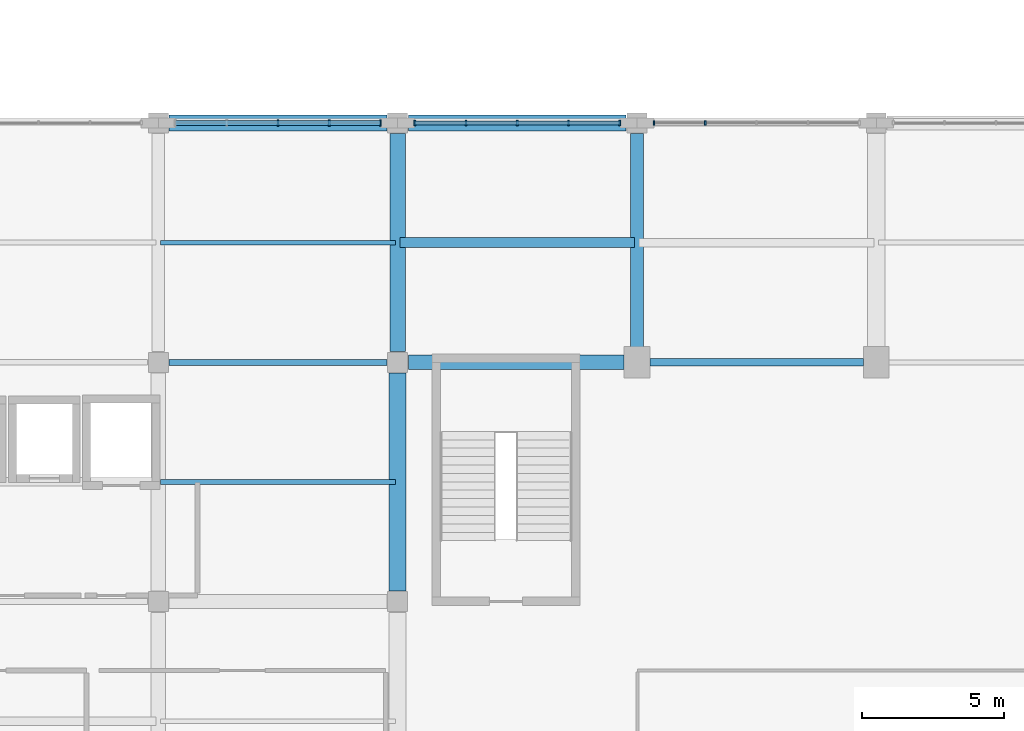
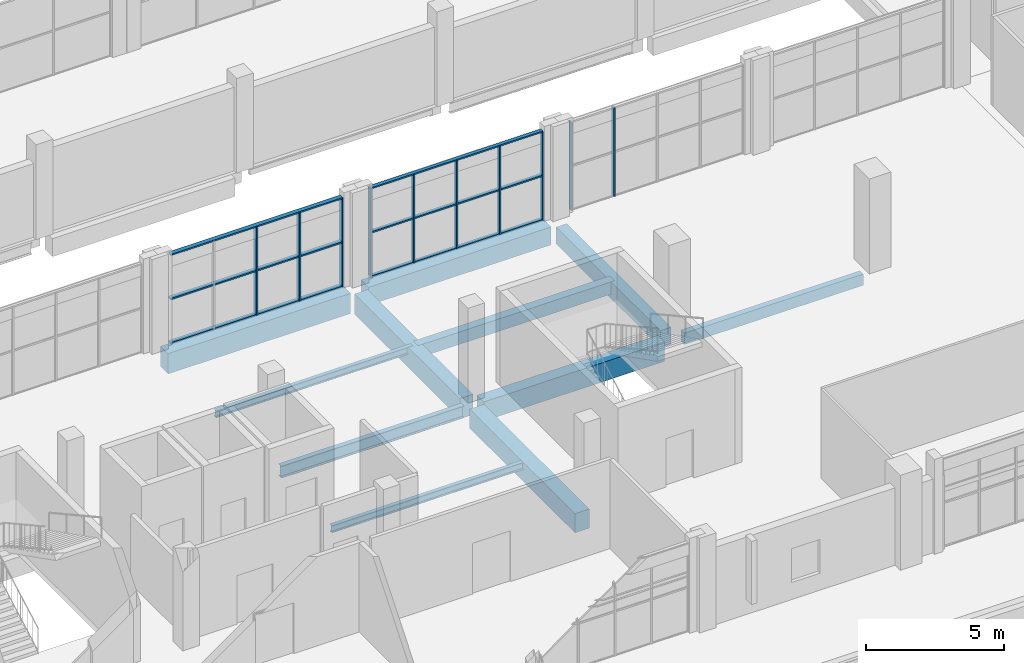
# One storey, part 21 of 59: 16 members, 11 beams, 3 elements without a shape of their own.
"""IFC4 building model written with IfcOpenShell, lengths in metres."""

from ifc_helpers import new_model, si_unit, derived_unit, direction, frame, origin, origin_2d, place, context, subcontext, project, spatial, rectangle, i_section, extrude, material, material_profile, profile_set, type_object, element, aggregate, save


model = new_model("IFC4")

# Units and contexts
model_context = context("Model", 3, precision=1e-05, world=origin(), true_north=direction((0.0, 1.0)))
body_context = subcontext(model_context, "Body", "Model", "MODEL_VIEW")
ifc_project = project(units=[si_unit("LENGTHUNIT", "METRE"), si_unit("AREAUNIT", "SQUARE_METRE"), si_unit("VOLUMEUNIT", "CUBIC_METRE"), si_unit("PLANEANGLEUNIT", "RADIAN"), si_unit("MASSUNIT", "GRAM", prefix="KILO"), derived_unit("THERMALTRANSMITTANCEUNIT", [(si_unit("POWERUNIT", "WATT"), 1), (si_unit("LENGTHUNIT", "METRE"), -2), (si_unit("THERMODYNAMICTEMPERATUREUNIT", "KELVIN"), -1)])], contexts=[model_context])

# Site, building, storey
site_placement = place(None, origin())
site = spatial("IfcSite", under=ifc_project, at=site_placement, CompositionType="ELEMENT")
building_placement = place(site_placement, origin())
building = spatial("IfcBuilding", under=site, at=building_placement, Name="Barrovel Congress Hotel", CompositionType="ELEMENT")
storey_placement = place(building_placement, frame((0.0, 0.0, 9.89990234375)))
storey = spatial("IfcBuildingStorey", under=building, at=storey_placement, Name="L02", CompositionType="ELEMENT", Elevation=9.89990234375)

# Beams
ifc_material_1 = material(Name="Concrete C40", Category="concrete")
ifc_material_profile_1 = material_profile(ifc_material_1, rectangle(XDim=0.25, YDim=0.5, at=origin_2d()), Name="RC250x500")
ifc_profile_set_1 = profile_set([ifc_material_profile_1], Name="Concrete C40")
beam_type_1 = type_object("IfcBeamType", Name="BM-RC250x500", PredefinedType="SPANDREL", material=ifc_profile_set_1)
beam_1_placement = place(storey_placement, frame((109.64990234375, 21.0, -0.510009765625), z_axis=(1.0, 0.0, 0.0), x_axis=(0.0, 1.0, 0.0)))
element("IfcBeam", 1, at=beam_1_placement, inside=storey, type_object=beam_type_1, Name="BMX:L02:21.0:109.2-117.6", PredefinedType="SPANDREL", context=body_context, shape_type="SweptSolid", body=[
    extrude(rectangle(XDim=0.25, YDim=0.5, at=origin_2d()), origin(), (0.0, 0.0, 1.0), 7.5),
])
ifc_material_profile_2 = material_profile(ifc_material_1, rectangle(XDim=0.35009765625, YDim=0.550048828125, at=origin_2d()), Name="RC350x550")
ifc_profile_set_2 = profile_set([ifc_material_profile_2], Name="Concrete C40")
beam_type_2 = type_object("IfcBeamType", Name="BM-RC350x550", PredefinedType="JOIST", material=ifc_profile_set_2)
beam_2_placement = place(storey_placement, frame((100.8798828125, 25.199951171875, -0.534912109375), z_axis=(1.0, 0.0, 0.0), x_axis=(0.0, 1.0, 0.0)))
element("IfcBeam", 2, at=beam_2_placement, inside=storey, type_object=beam_type_2, Name="JST:L02:100.8:25.2", PredefinedType="JOIST", context=body_context, shape_type="SweptSolid", body=[
    extrude(rectangle(XDim=0.35009765625, YDim=0.550048828125, at=origin_2d()), origin(), (0.0, 0.0, 1.0), 8.240234375),
])
ifc_material_profile_3 = material_profile(ifc_material_1, rectangle(XDim=0.449951171875, YDim=0.75, at=origin_2d()), Name="RC450x750")
ifc_profile_set_3 = profile_set([ifc_material_profile_3], Name="Concrete C40")
beam_type_3 = type_object("IfcBeamType", Name="BM-RC450x750", PredefinedType="BEAM", material=ifc_profile_set_3)
beam_3_placement = place(storey_placement, frame((109.199951171875, 21.449951171875, -0.635009765625), z_axis=(0.0, 1.0, 0.0), x_axis=(-1.0, 0.0, 0.0)))
element("IfcBeam", 3, at=beam_3_placement, inside=storey, type_object=beam_type_3, Name="BMY:L02:109.2:21.0-29.4", PredefinedType="BEAM", context=body_context, shape_type="SweptSolid", body=[
    extrude(rectangle(XDim=0.449951171875, YDim=0.75, at=origin_2d()), origin(), (0.0, 0.0, 1.0), 7.574951171875),
])
ifc_material_profile_4 = material_profile(ifc_material_1, rectangle(XDim=0.5, YDim=0.85009765625, at=origin_2d()), Name="RC500x850")
ifc_profile_set_4 = profile_set([ifc_material_profile_4], Name="Concrete C40")
beam_type_4 = type_object("IfcBeamType", Name="BM-RC500x850", PredefinedType="BEAM", material=ifc_profile_set_4)
beam_4_placement = place(storey_placement, frame((101.175048828125, 21.0, -0.684814453125), z_axis=(1.0, 0.0, 0.0), x_axis=(0.0, 1.0, 0.0)))
element("IfcBeam", 4, at=beam_4_placement, inside=storey, type_object=beam_type_4, Name="BMX:L02:21.0:100.8-109.2", PredefinedType="BEAM", context=body_context, shape_type="SweptSolid", body=[
    extrude(rectangle(XDim=0.5, YDim=0.85009765625, at=origin_2d()), origin(), (0.0, 0.0, 1.0), 7.574951171875),
])
ifc_material_profile_5 = material_profile(ifc_material_1, rectangle(XDim=0.550048828125, YDim=0.800048828125, at=origin_2d()), Name="RC550x800")
ifc_profile_set_5 = profile_set([ifc_material_profile_5], Name="Concrete C40")
beam_type_5 = type_object("IfcBeamType", Name="BM-RC550x800", PredefinedType="BEAM", material=ifc_profile_set_5)
beam_5_placement = place(storey_placement, frame((101.175048828125, 29.39990234375, -0.659912109375), z_axis=(1.0, 0.0, 0.0), x_axis=(0.0, 1.0, 0.0)))
element("IfcBeam", 5, at=beam_5_placement, inside=storey, type_object=beam_type_5, Name="BMX:L02:29.4:100.8-109.2", PredefinedType="BEAM", context=body_context, shape_type="SweptSolid", body=[
    extrude(rectangle(XDim=0.550048828125, YDim=0.800048828125, at=origin_2d()), origin(), (0.0, 0.0, 1.0), 7.64990234375),
])
ifc_material_profile_6 = material_profile(ifc_material_1, rectangle(XDim=0.550048828125, YDim=0.89990234375, at=origin_2d()), Name="RC550x900")
ifc_profile_set_6 = profile_set([ifc_material_profile_6], Name="Concrete C40")
beam_type_6 = type_object("IfcBeamType", Name="BM-RC550x900", PredefinedType="BEAM", material=ifc_profile_set_6)
beam_6_placement = place(storey_placement, frame((92.77490234375, 29.39990234375, -0.7099609375), z_axis=(1.0, 0.0, 0.0), x_axis=(0.0, 1.0, 0.0)))
element("IfcBeam", 6, at=beam_6_placement, inside=storey, type_object=beam_type_6, Name="BMX:L02:29.4:92.4-100.8", PredefinedType="BEAM", context=body_context, shape_type="SweptSolid", body=[
    extrude(rectangle(XDim=0.550048828125, YDim=0.89990234375, at=origin_2d()), origin(), (0.0, 0.0, 1.0), 7.650146484375),
])
beam_7_placement = place(storey_placement, frame((100.800048828125, 21.375, -0.7099609375), z_axis=(0.0, 1.0, 0.0), x_axis=(-1.0, 0.0, 0.0)))
element("IfcBeam", 7, at=beam_7_placement, inside=storey, type_object=beam_type_6, Name="BMY:L02:100.8:21.0-29.4", PredefinedType="BEAM", context=body_context, shape_type="SweptSolid", body=[
    extrude(rectangle(XDim=0.550048828125, YDim=0.89990234375, at=origin_2d()), origin(), (0.0, 0.0, 1.0), 7.64990234375),
])
ifc_material_profile_7 = material_profile(ifc_material_1, rectangle(XDim=0.60009765625, YDim=0.85009765625, at=origin_2d()), Name="RC600x850")
ifc_profile_set_7 = profile_set([ifc_material_profile_7], Name="Concrete C40")
beam_type_7 = type_object("IfcBeamType", Name="BM-RC600x850", PredefinedType="BEAM", material=ifc_profile_set_7)
beam_8_placement = place(storey_placement, frame((100.800048828125, 12.97509765625, -0.684814453125), z_axis=(0.0, 1.0, 0.0), x_axis=(-1.0, 0.0, 0.0)))
element("IfcBeam", 8, at=beam_8_placement, inside=storey, type_object=beam_type_7, Name="BMY:L02:100.8:12.6-21.0", PredefinedType="BEAM", context=body_context, shape_type="SweptSolid", body=[
    extrude(rectangle(XDim=0.60009765625, YDim=0.85009765625, at=origin_2d()), origin(), (0.0, 0.0, 1.0), 7.64990234375),
])

# Curtain wall, members
ifc_material_2 = material(Name="Anodised Aluminium Alloy 6063-T6", Category="aluminium")
curtain_wall_type = type_object("IfcCurtainWallType", Name="CW-ST-7200x3600", PredefinedType="USERDEFINED", material=ifc_material_2)
curtain_wall_1_placement = place(storey_placement, origin())
curtain_wall_1 = element("IfcCurtainWall", 9, at=curtain_wall_1_placement, inside=storey, type_object=curtain_wall_type, Name="CW:L02:CS:13", ObjectType="STICK CURTAIN WALL", PredefinedType="USERDEFINED")
ifc_material_profile_8 = material_profile(ifc_material_2, rectangle(XDim=0.06005859375, YDim=0.1650390625, at=origin_2d()), Name="AL-M60x165")
ifc_profile_set_8 = profile_set([ifc_material_profile_8], Name="Anodised Aluminium Alloy 6063-T6")
member_type_1 = type_object("IfcMemberType", Name="CWM-AL-M60x165", PredefinedType="MULLION", material=ifc_profile_set_8)
member_1_placement = place(storey_placement, frame((111.60009765625, 29.39990234375, 0.0), z_axis=(0.0, 0.0, 1.0), x_axis=(1.0, 0.0, 0.0)))
member_1 = element("IfcMember", 10, at=member_1_placement, type_object=member_type_1, Name="CW:L02:CS:13:M3", PredefinedType="MULLION", context=body_context, shape_type="SweptSolid", body=[
    extrude(rectangle(XDim=0.06005859375, YDim=0.1650390625, at=origin_2d()), origin(), (0.0, 0.0, 1.0), 3.920166015625),
])
member_2_placement = place(storey_placement, frame((109.800048828125, 29.39990234375, 0.0), z_axis=(0.0, 0.0, 1.0), x_axis=(1.0, 0.0, 0.0)))
member_2 = element("IfcMember", 11, at=member_2_placement, type_object=member_type_1, Name="CW:L02:CS:13:M4", PredefinedType="MULLION", context=body_context, shape_type="SweptSolid", body=[
    extrude(rectangle(XDim=0.06005859375, YDim=0.1650390625, at=origin_2d()), origin(), (0.0, 0.0, 1.0), 3.920166015625),
])
aggregate(curtain_wall_1, [member_1, member_2])

curtain_wall_2_placement = place(storey_placement, origin())
curtain_wall_2 = element("IfcCurtainWall", 12, at=curtain_wall_2_placement, inside=storey, type_object=curtain_wall_type, Name="CW:L02:CS:12", ObjectType="STICK CURTAIN WALL", PredefinedType="USERDEFINED")
ifc_material_profile_9 = material_profile(ifc_material_2, rectangle(XDim=0.06494140625, YDim=0.18994140625, at=origin_2d()), Name="AL-M65x190")
ifc_profile_set_9 = profile_set([ifc_material_profile_9], Name="Anodised Aluminium Alloy 6063-T6")
member_type_2 = type_object("IfcMemberType", Name="CWM-AL-M65x190", PredefinedType="MULLION", material=ifc_profile_set_9)
member_3_placement = place(storey_placement, frame((108.60009765625, 29.39990234375, 0.0), z_axis=(0.0, 0.0, 1.0), x_axis=(1.0, 0.0, 0.0)))
member_3 = element("IfcMember", 13, at=member_3_placement, type_object=member_type_2, Name="CW:L02:CS:12:M0", PredefinedType="MULLION", context=body_context, shape_type="SweptSolid", body=[
    extrude(rectangle(XDim=0.06494140625, YDim=0.18994140625, at=origin_2d()), origin(), (0.0, 0.0, 1.0), 3.920166015625),
])
member_4_placement = place(storey_placement, frame((106.800048828125, 29.39990234375, 0.0), z_axis=(0.0, 0.0, 1.0), x_axis=(1.0, 0.0, 0.0)))
member_4 = element("IfcMember", 14, at=member_4_placement, type_object=member_type_2, Name="CW:L02:CS:12:M1", PredefinedType="MULLION", context=body_context, shape_type="SweptSolid", body=[
    extrude(rectangle(XDim=0.06494140625, YDim=0.18994140625, at=origin_2d()), origin(), (0.0, 0.0, 1.0), 3.920166015625),
])
member_5_placement = place(storey_placement, frame((105.0, 29.39990234375, 0.0), z_axis=(0.0, 0.0, 1.0), x_axis=(1.0, 0.0, 0.0)))
member_5 = element("IfcMember", 15, at=member_5_placement, type_object=member_type_2, Name="CW:L02:CS:12:M2", PredefinedType="MULLION", context=body_context, shape_type="SweptSolid", body=[
    extrude(rectangle(XDim=0.06494140625, YDim=0.18994140625, at=origin_2d()), origin(), (0.0, 0.0, 1.0), 3.920166015625),
])
member_6_placement = place(storey_placement, frame((103.199951171875, 29.39990234375, 0.0), z_axis=(0.0, 0.0, 1.0), x_axis=(1.0, 0.0, 0.0)))
member_6 = element("IfcMember", 16, at=member_6_placement, type_object=member_type_2, Name="CW:L02:CS:12:M3", PredefinedType="MULLION", context=body_context, shape_type="SweptSolid", body=[
    extrude(rectangle(XDim=0.06494140625, YDim=0.18994140625, at=origin_2d()), origin(), (0.0, 0.0, 1.0), 3.920166015625),
])
member_7_placement = place(storey_placement, frame((101.39990234375, 29.39990234375, 0.0), z_axis=(0.0, 0.0, 1.0), x_axis=(1.0, 0.0, 0.0)))
member_7 = element("IfcMember", 17, at=member_7_placement, type_object=member_type_2, Name="CW:L02:CS:12:M4", PredefinedType="MULLION", context=body_context, shape_type="SweptSolid", body=[
    extrude(rectangle(XDim=0.06494140625, YDim=0.18994140625, at=origin_2d()), origin(), (0.0, 0.0, 1.0), 3.920166015625),
])

curtain_wall_3_placement = place(storey_placement, origin())
curtain_wall_3 = element("IfcCurtainWall", 18, at=curtain_wall_3_placement, inside=storey, type_object=curtain_wall_type, Name="CW:L02:CS:11", ObjectType="STICK CURTAIN WALL", PredefinedType="USERDEFINED")
ifc_material_profile_10 = material_profile(ifc_material_2, rectangle(XDim=0.06494140625, YDim=0.219970703125, at=origin_2d()), Name="AL-M65x220")
ifc_profile_set_10 = profile_set([ifc_material_profile_10], Name="Anodised Aluminium Alloy 6063-T6")
member_type_3 = type_object("IfcMemberType", Name="CWM-AL-M65x220", PredefinedType="MULLION", material=ifc_profile_set_10)
member_8_placement = place(storey_placement, frame((100.199951171875, 29.39990234375, 0.0), z_axis=(0.0, 0.0, 1.0), x_axis=(1.0, 0.0, 0.0)))
member_8 = element("IfcMember", 19, at=member_8_placement, type_object=member_type_3, Name="CW:L02:CS:11:M0", PredefinedType="MULLION", context=body_context, shape_type="SweptSolid", body=[
    extrude(rectangle(XDim=0.06494140625, YDim=0.219970703125, at=origin_2d()), origin(), (0.0, 0.0, 1.0), 3.920166015625),
])
member_9_placement = place(storey_placement, frame((98.39990234375, 29.39990234375, 0.0), z_axis=(0.0, 0.0, 1.0), x_axis=(1.0, 0.0, 0.0)))
member_9 = element("IfcMember", 20, at=member_9_placement, type_object=member_type_3, Name="CW:L02:CS:11:M1", PredefinedType="MULLION", context=body_context, shape_type="SweptSolid", body=[
    extrude(rectangle(XDim=0.06494140625, YDim=0.219970703125, at=origin_2d()), origin(), (0.0, 0.0, 1.0), 3.920166015625),
])
member_10_placement = place(storey_placement, frame((96.60009765625, 29.39990234375, 0.0), z_axis=(0.0, 0.0, 1.0), x_axis=(1.0, 0.0, 0.0)))
member_10 = element("IfcMember", 21, at=member_10_placement, type_object=member_type_3, Name="CW:L02:CS:11:M2", PredefinedType="MULLION", context=body_context, shape_type="SweptSolid", body=[
    extrude(rectangle(XDim=0.06494140625, YDim=0.219970703125, at=origin_2d()), origin(), (0.0, 0.0, 1.0), 3.920166015625),
])

# Member
ifc_material_profile_11 = material_profile(ifc_material_2, rectangle(XDim=0.14990234375, YDim=0.06494140625, at=origin_2d()), Name="AL-T65x150")
ifc_profile_set_11 = profile_set([ifc_material_profile_11], Name="Anodised Aluminium Alloy 6063-T6")
member_type_4 = type_object("IfcMemberType", Name="CWT-AL-T65x150", PredefinedType="USERDEFINED", material=ifc_profile_set_11)
member_11_placement = place(storey_placement, frame((108.60009765625, 29.39990234375, 0.0), z_axis=(-1.0, 0.0, 0.0), x_axis=(0.0, -1.0, 0.0)))
member_11 = element("IfcMember", 22, at=member_11_placement, type_object=member_type_4, Name="CW:L02:CS:12:T0", ObjectType="TRANSOM", PredefinedType="USERDEFINED", context=body_context, shape_type="SweptSolid", body=[
    extrude(rectangle(XDim=0.14990234375, YDim=0.06494140625, at=origin_2d()), origin(), (0.0, 0.0, 1.0), 7.2001953125),
])

member_12_placement = place(storey_placement, frame((108.60009765625, 29.39990234375, 1.960205078125), z_axis=(-1.0, 0.0, 0.0), x_axis=(0.0, -1.0, 0.0)))
member_12 = element("IfcMember", 23, at=member_12_placement, type_object=member_type_4, Name="CW:L02:CS:12:T1", ObjectType="TRANSOM", PredefinedType="USERDEFINED", context=body_context, shape_type="SweptSolid", body=[
    extrude(rectangle(XDim=0.14990234375, YDim=0.06494140625, at=origin_2d()), origin(), (0.0, 0.0, 1.0), 7.2001953125),
])

member_13_placement = place(storey_placement, frame((108.60009765625, 29.39990234375, 3.920166015625), z_axis=(-1.0, 0.0, 0.0), x_axis=(0.0, -1.0, 0.0)))
member_13 = element("IfcMember", 24, at=member_13_placement, type_object=member_type_4, Name="CW:L02:CS:12:T2", ObjectType="TRANSOM", PredefinedType="USERDEFINED", context=body_context, shape_type="SweptSolid", body=[
    extrude(rectangle(XDim=0.14990234375, YDim=0.06494140625, at=origin_2d()), origin(), (0.0, 0.0, 1.0), 7.2001953125),
])

aggregate(curtain_wall_2, [member_3, member_4, member_5, member_6, member_7, member_11, member_12, member_13])

ifc_material_profile_12 = material_profile(ifc_material_2, rectangle(XDim=0.179931640625, YDim=0.06494140625, at=origin_2d()), Name="AL-T65x180")
ifc_profile_set_12 = profile_set([ifc_material_profile_12], Name="Anodised Aluminium Alloy 6063-T6")
member_type_5 = type_object("IfcMemberType", Name="CWT-AL-T65x180", PredefinedType="USERDEFINED", material=ifc_profile_set_12)
member_14_placement = place(storey_placement, frame((100.199951171875, 29.39990234375, 0.0), z_axis=(-1.0, 0.0, 0.0), x_axis=(0.0, -1.0, 0.0)))
member_14 = element("IfcMember", 25, at=member_14_placement, type_object=member_type_5, Name="CW:L02:CS:11:T0", ObjectType="TRANSOM", PredefinedType="USERDEFINED", context=body_context, shape_type="SweptSolid", body=[
    extrude(rectangle(XDim=0.179931640625, YDim=0.06494140625, at=origin_2d()), origin(), (0.0, 0.0, 1.0), 7.199951171875),
])

member_15_placement = place(storey_placement, frame((100.199951171875, 29.39990234375, 1.960205078125), z_axis=(-1.0, 0.0, 0.0), x_axis=(0.0, -1.0, 0.0)))
member_15 = element("IfcMember", 26, at=member_15_placement, type_object=member_type_5, Name="CW:L02:CS:11:T1", ObjectType="TRANSOM", PredefinedType="USERDEFINED", context=body_context, shape_type="SweptSolid", body=[
    extrude(rectangle(XDim=0.179931640625, YDim=0.06494140625, at=origin_2d()), origin(), (0.0, 0.0, 1.0), 7.199951171875),
])

member_16_placement = place(storey_placement, frame((100.199951171875, 29.39990234375, 3.920166015625), z_axis=(-1.0, 0.0, 0.0), x_axis=(0.0, -1.0, 0.0)))
member_16 = element("IfcMember", 27, at=member_16_placement, type_object=member_type_5, Name="CW:L02:CS:11:T2", ObjectType="TRANSOM", PredefinedType="USERDEFINED", context=body_context, shape_type="SweptSolid", body=[
    extrude(rectangle(XDim=0.179931640625, YDim=0.06494140625, at=origin_2d()), origin(), (0.0, 0.0, 1.0), 7.199951171875),
])

aggregate(curtain_wall_3, [member_8, member_9, member_10, member_14, member_15, member_16])

# Beams
ifc_material_3 = material(Name="Steel ASTM A992 Grade 50", Category="steel")
ifc_material_profile_13 = material_profile(ifc_material_3, i_section(OverallWidth=0.1650390625, OverallDepth=0.31005859375, WebThickness=0.005859375, FlangeThickness=0.009765625, FilletRadius=0.010986328125, at=origin_2d()), Name="W310x39")
ifc_profile_set_13 = profile_set([ifc_material_profile_13], Name="Steel ASTM A992 Grade 50")
beam_type_8 = type_object("IfcBeamType", Name="SBM-W310x39", PredefinedType="JOIST", material=ifc_profile_set_13)
beam_9_placement = place(storey_placement, frame((92.47998046875, 25.199951171875, -0.414794921875), z_axis=(1.0, 0.0, 0.0), x_axis=(0.0, 1.0, 0.0)))
element("IfcBeam", 28, at=beam_9_placement, inside=storey, type_object=beam_type_8, Name="JST:L02:92.4:25.2", PredefinedType="JOIST", context=body_context, shape_type="SweptSolid", body=[
    extrude(i_section(OverallWidth=0.1650390625, OverallDepth=0.31005859375, WebThickness=0.005859375, FlangeThickness=0.009765625, FilletRadius=0.010986328125, at=origin_2d()), origin(), (0.0, 0.0, 1.0), 8.239990234375),
])
ifc_material_profile_14 = material_profile(ifc_material_3, i_section(OverallWidth=0.1669921875, OverallDepth=0.31689453125, WebThickness=0.007568359375, FlangeThickness=0.01318359375, FilletRadius=0.010986328125, at=origin_2d()), Name="W310x52")
ifc_profile_set_14 = profile_set([ifc_material_profile_14], Name="Steel ASTM A992 Grade 50")
beam_type_9 = type_object("IfcBeamType", Name="SBM-W310x52", PredefinedType="JOIST", material=ifc_profile_set_14)
beam_10_placement = place(storey_placement, frame((92.47998046875, 16.800048828125, -0.41845703125), z_axis=(1.0, 0.0, 0.0), x_axis=(0.0, 1.0, 0.0)))
element("IfcBeam", 29, at=beam_10_placement, inside=storey, type_object=beam_type_9, Name="JST:L02:92.4:16.8", PredefinedType="JOIST", context=body_context, shape_type="SweptSolid", body=[
    extrude(i_section(OverallWidth=0.1669921875, OverallDepth=0.31689453125, WebThickness=0.007568359375, FlangeThickness=0.01318359375, FilletRadius=0.010986328125, at=origin_2d()), origin(), (0.0, 0.0, 1.0), 8.239990234375),
])
ifc_material_profile_15 = material_profile(ifc_material_3, i_section(OverallWidth=0.208984375, OverallDepth=0.529052734375, WebThickness=0.009765625, FlangeThickness=0.013671875, FilletRadius=0.013916015625, at=origin_2d()), Name="W530x74")
ifc_profile_set_15 = profile_set([ifc_material_profile_15], Name="Steel ASTM A992 Grade 50")
beam_type_10 = type_object("IfcBeamType", Name="SBM-W530x74", PredefinedType="BEAM", material=ifc_profile_set_15)
beam_11_placement = place(storey_placement, frame((92.77490234375, 21.0, -0.5244140625), z_axis=(1.0, 0.0, 0.0), x_axis=(0.0, 1.0, 0.0)))
element("IfcBeam", 30, at=beam_11_placement, inside=storey, type_object=beam_type_10, Name="BMX:L02:21.0:92.4-100.8", PredefinedType="BEAM", context=body_context, shape_type="SweptSolid", body=[
    extrude(i_section(OverallWidth=0.208984375, OverallDepth=0.529052734375, WebThickness=0.009765625, FlangeThickness=0.013671875, FilletRadius=0.013916015625, at=origin_2d()), origin(), (0.0, 0.0, 1.0), 7.650146484375),
])

save(model, "model.ifc")
